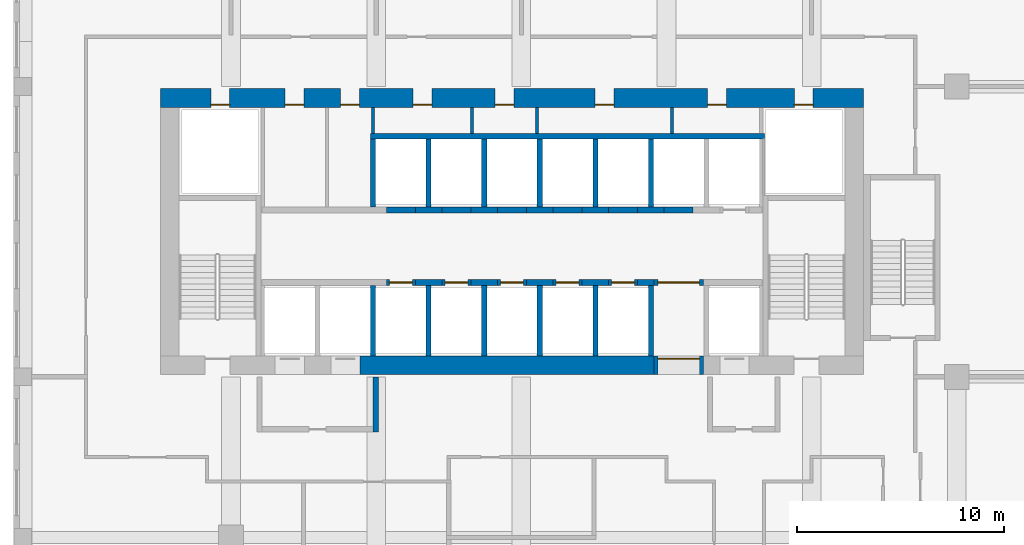
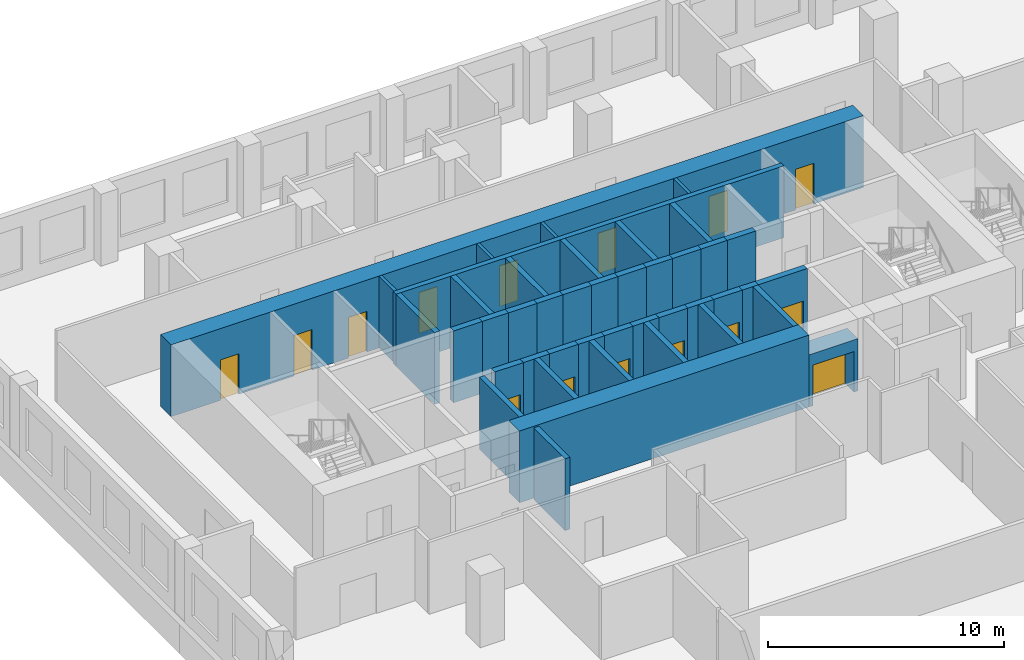
# One storey, part 12 of 17: 43 walls, 15 doors, 15 openings.
"""IFC4 building model written with IfcOpenShell, lengths in metres."""

from ifc_helpers import new_model, si_unit, direction, frame, frame_2d, origin, place, context, subcontext, project, spatial, rectangle, extrude, source, transform, mapped, material, layer, layer_set, type_object, element, fill, save


model = new_model("IFC4")

# Units and contexts
model_context = context("Model", 3, precision=1e-05, world=origin(), true_north=direction((0.0, 1.0)))
body_context = subcontext(model_context, "Body", "Model", "MODEL_VIEW")
ifc_project = project(units=[si_unit("LENGTHUNIT", "METRE"), si_unit("AREAUNIT", "SQUARE_METRE"), si_unit("VOLUMEUNIT", "CUBIC_METRE"), si_unit("PLANEANGLEUNIT", "RADIAN"), si_unit("MASSUNIT", "GRAM", prefix="KILO")], contexts=[model_context])

# Site, building, storey
site_placement = place(None, origin())
site = spatial("IfcSite", under=ifc_project, at=site_placement, CompositionType="ELEMENT")
building_placement = place(site_placement, origin())
building = spatial("IfcBuilding", under=site, at=building_placement, Name="Kilnfold Tower and Market Hall", CompositionType="ELEMENT")
storey_placement = place(building_placement, frame((0.0, 0.0, 100.60009765625)))
storey = spatial("IfcBuildingStorey", under=building, at=storey_placement, Name="L23", CompositionType="ELEMENT", Elevation=100.60009765625)

# Walls
ifc_material_1 = material(Name="Concrete C70", Category="concrete")
ifc_layer_1 = layer(ifc_material_1, 0.300048828125)
ifc_layer_set_1 = layer_set([ifc_layer_1], Name="Concrete C70")
wall_type_1 = type_object("IfcWallType", Name="CORE WALL 300 C70", PredefinedType="SHEAR", material=ifc_layer_set_1)
shared_shape_1 = source(origin(), body_context, "Body", "SweptSolid", [
    extrude(rectangle(XDim=1.280029296875, YDim=0.300048828125, at=frame_2d((0.64013671875, 0.0))), origin(), (0.0, 0.0, 1.0), 3.719970703125),
])
for number, where, z_axis, x_axis, name in (
    (1, (-3.610107421875, 12.550048828125, 0.0), (0.0, 0.0, 1.0), (1.0, 0.0, 0.0), "Core spine wall"),
    (2, (-0.929931640625, 12.550048828125, 0.0), (0.0, 0.0, 1.0), (1.0, 0.0, 0.0), "Core spine wall"),
    (3, (1.75, 12.550048828125, 0.0), (0.0, 0.0, 1.0), (1.0, 0.0, 0.0), "Core spine wall"),
    (4, (4.429931640625, 12.550048828125, 0.0), (0.0, 0.0, 1.0), (1.0, 0.0, 0.0), "Core spine wall"),
    (5, (-3.610107421875, 16.050048828125, 0.0), (0.0, 0.0, 1.0), (1.0, 0.0, 0.0), "Core spine wall"),
    (6, (-0.929931640625, 16.050048828125, 0.0), (0.0, 0.0, 1.0), (1.0, 0.0, 0.0), "Core spine wall"),
    (7, (1.75, 16.050048828125, 0.0), (0.0, 0.0, 1.0), (1.0, 0.0, 0.0), "Core spine wall"),
    (8, (4.429931640625, 16.050048828125, 0.0), (0.0, 0.0, 1.0), (1.0, 0.0, 0.0), "Core spine wall"),
):
    element("IfcWall", number, at=place(storey_placement, frame(where, z_axis=z_axis, x_axis=x_axis)), inside=storey, type_object=wall_type_1, Name=name, PredefinedType="SHEAR", context=body_context, shape_type="MappedRepresentation", body=[
        mapped(shared_shape_1, transform((0.0, 0.0, 0.0))),
    ])
shared_shape_2 = source(origin(), body_context, "Body", "SweptSolid", [
    extrude(rectangle(XDim=0.77978515625, YDim=0.300048828125, at=frame_2d((0.389892578125, 0.0))), origin(), (0.0, 0.0, 1.0), 3.719970703125),
])
wall_1_placement = place(storey_placement, frame((7.110107421875, 12.550048828125, 0.0), z_axis=(0.0, 0.0, 1.0), x_axis=(1.0, 0.0, 0.0)))
element("IfcWall", 9, at=wall_1_placement, inside=storey, type_object=wall_type_1, Name="Core spine wall", PredefinedType="SHEAR", context=body_context, shape_type="MappedRepresentation", body=[
    mapped(shared_shape_2, transform((0.0, 0.0, 0.0))),
])
shared_shape_3 = source(origin(), body_context, "Body", "SweptSolid", [
    extrude(rectangle(XDim=1.27978515625, YDim=0.300048828125, at=frame_2d((0.639892578125, 0.0))), origin(), (0.0, 0.0, 1.0), 3.719970703125),
])
wall_2_placement = place(storey_placement, frame((7.110107421875, 16.050048828125, 0.0), z_axis=(0.0, 0.0, 1.0), x_axis=(1.0, 0.0, 0.0)))
element("IfcWall", 10, at=wall_2_placement, inside=storey, type_object=wall_type_1, Name="Core spine wall", PredefinedType="SHEAR", context=body_context, shape_type="MappedRepresentation", body=[
    mapped(shared_shape_3, transform((0.0, 0.0, 0.0))),
])
ifc_material_2 = material(Name="Concrete C70", Category="concrete")
ifc_layer_2 = layer(ifc_material_2, 0.89990234375)
ifc_layer_set_2 = layer_set([ifc_layer_2], Name="Concrete C70")
wall_type_2 = type_object("IfcWallType", Name="CORE WALL 900 C70", PredefinedType="SHEAR", material=ifc_layer_set_2)
shared_shape_4 = source(origin(), body_context, "Body", "SweptSolid", [
    extrude(rectangle(XDim=14.179931640625, YDim=0.89990234375, at=frame_2d((7.08984375, 0.0))), origin(), (0.0, 0.0, 1.0), 3.719970703125),
])
wall_3_placement = place(storey_placement, frame((-6.2900390625, 8.550048828125, 0.0), z_axis=(0.0, 0.0, 1.0), x_axis=(1.0, 0.0, 0.0)))
element("IfcWall", 11, at=wall_3_placement, inside=storey, type_object=wall_type_2, Name="Core outer wall south", PredefinedType="SHEAR", context=body_context, shape_type="MappedRepresentation", body=[
    mapped(shared_shape_4, transform((0.0, 0.0, 0.0))),
])

# Wall, openings, doors
shared_shape_5 = source(origin(), body_context, "Body", "SweptSolid", [
    extrude(rectangle(XDim=33.89990234375, YDim=0.89990234375, at=frame_2d((16.949951171875, 0.0))), origin(), (0.0, 0.0, 1.0), 3.719970703125),
])
wall_4_placement = place(storey_placement, frame((-15.89990234375, 21.449951171875, 0.0), z_axis=(0.0, 0.0, 1.0), x_axis=(1.0, 0.0, 0.0)))
wall_4 = element("IfcWall", 12, at=wall_4_placement, inside=storey, type_object=wall_type_2, Name="Core outer wall north", PredefinedType="SHEAR", context=body_context, shape_type="MappedRepresentation", body=[
    mapped(shared_shape_5, transform((0.0, 0.0, 0.0))),
])
opening_1_placement = place(wall_4_placement, frame((6.0078125, 0.0, 0.0)))
opening_1 = element("IfcOpeningElement", 13, at=opening_1_placement, cuts=wall_4, Name="Opening KD1", PredefinedType="OPENING", context=body_context, shape_type="SweptSolid", body=[
    extrude(rectangle(XDim=0.89990234375, YDim=2.10009765625, at=frame_2d((0.449951171875, 1.050048828125))), frame((0.0, 0.4599609375, 0.0), z_axis=(0.0, -1.0, 0.0), x_axis=(1.0, 0.0, 0.0)), (0.0, 0.0, 1.0), 0.919921875),
])
opening_2_placement = place(wall_4_placement, frame((8.687744140625, 0.0, 0.0)))
opening_2 = element("IfcOpeningElement", 14, at=opening_2_placement, cuts=wall_4, Name="Opening KD1", PredefinedType="OPENING", context=body_context, shape_type="SweptSolid", body=[
    extrude(rectangle(XDim=0.89990234375, YDim=2.10009765625, at=frame_2d((0.449951171875, 1.050048828125))), frame((0.0, 0.4599609375, 0.0), z_axis=(0.0, -1.0, 0.0), x_axis=(1.0, 0.0, 0.0)), (0.0, 0.0, 1.0), 0.919921875),
])
opening_3_placement = place(wall_4_placement, frame((12.185302734375, 0.0, 0.0)))
opening_3 = element("IfcOpeningElement", 15, at=opening_3_placement, cuts=wall_4, Name="Opening KD1", PredefinedType="OPENING", context=body_context, shape_type="SweptSolid", body=[
    extrude(rectangle(XDim=0.89990234375, YDim=2.10009765625, at=frame_2d((0.449951171875, 1.050048828125))), frame((0.0, 0.4599609375, 0.0), z_axis=(0.0, -1.0, 0.0), x_axis=(1.0, 0.0, 0.0)), (0.0, 0.0, 1.0), 0.919921875),
])
opening_4_placement = place(wall_4_placement, frame((16.13818359375, 0.0, 0.0)))
opening_4 = element("IfcOpeningElement", 16, at=opening_4_placement, cuts=wall_4, Name="Opening KD1", PredefinedType="OPENING", context=body_context, shape_type="SweptSolid", body=[
    extrude(rectangle(XDim=0.89990234375, YDim=2.10009765625, at=frame_2d((0.449951171875, 1.050048828125))), frame((0.0, 0.4599609375, 0.0), z_axis=(0.0, -1.0, 0.0), x_axis=(1.0, 0.0, 0.0)), (0.0, 0.0, 1.0), 0.919921875),
])
opening_5_placement = place(wall_4_placement, frame((20.962158203125, 0.0, 0.0)))
opening_5 = element("IfcOpeningElement", 17, at=opening_5_placement, cuts=wall_4, Name="Opening KD1", PredefinedType="OPENING", context=body_context, shape_type="SweptSolid", body=[
    extrude(rectangle(XDim=0.89990234375, YDim=2.10009765625, at=frame_2d((0.449951171875, 1.050048828125))), frame((0.0, 0.4599609375, 0.0), z_axis=(0.0, -1.0, 0.0), x_axis=(1.0, 0.0, 0.0)), (0.0, 0.0, 1.0), 0.919921875),
])
opening_6_placement = place(wall_4_placement, frame((26.38916015625, 0.0, 0.0)))
opening_6 = element("IfcOpeningElement", 18, at=opening_6_placement, cuts=wall_4, Name="Opening KD1", PredefinedType="OPENING", context=body_context, shape_type="SweptSolid", body=[
    extrude(rectangle(XDim=0.89990234375, YDim=2.10009765625, at=frame_2d((0.449951171875, 1.050048828125))), frame((0.0, 0.4599609375, 0.0), z_axis=(0.0, -1.0, 0.0), x_axis=(1.0, 0.0, 0.0)), (0.0, 0.0, 1.0), 0.919921875),
])
opening_7_placement = place(wall_4_placement, frame((2.425048828125, 0.0, 0.0)))
opening_7 = element("IfcOpeningElement", 19, at=opening_7_placement, cuts=wall_4, Name="Opening KD1", PredefinedType="OPENING", context=body_context, shape_type="SweptSolid", body=[
    extrude(rectangle(XDim=0.89990234375, YDim=2.10009765625, at=frame_2d((0.449951171875, 1.050048828125))), frame((0.0, 0.4599609375, 0.0), z_axis=(0.0, -1.0, 0.0), x_axis=(1.0, 0.0, 0.0)), (0.0, 0.0, 1.0), 0.919921875),
])
opening_8_placement = place(wall_4_placement, frame((30.574951171875, 0.0, 0.0)))
opening_8 = element("IfcOpeningElement", 20, at=opening_8_placement, cuts=wall_4, Name="Opening KD1", PredefinedType="OPENING", context=body_context, shape_type="SweptSolid", body=[
    extrude(rectangle(XDim=0.89990234375, YDim=2.10009765625, at=frame_2d((0.449951171875, 1.050048828125))), frame((0.0, 0.4599609375, 0.0), z_axis=(0.0, -1.0, 0.0), x_axis=(1.0, 0.0, 0.0)), (0.0, 0.0, 1.0), 0.919921875),
])
ifc_material_3 = material(Name="Steel door set with fire-resisting leaf", Category="steel")
door_type_1 = type_object("IfcDoorType", Name="SERVICE DOOR 900X2100", OperationType="NOTDEFINED", PredefinedType="DOOR", material=ifc_material_3)
door_1_placement = place(opening_1_placement, origin())
door_1 = element("IfcDoor", 21, at=door_1_placement, inside=storey, type_object=door_type_1, Name="Core service door", OperationType="SINGLE_SWING_RIGHT", OverallHeight=2.10009765625, OverallWidth=0.89990234375, PredefinedType="DOOR", context=body_context, shape_type="SweptSolid", body=[
    extrude(rectangle(XDim=0.89990234375, YDim=2.10009765625, at=frame_2d((0.449951171875, 1.050048828125))), frame((0.0, -0.30517578125, 0.0), z_axis=(0.0, -1.0, 0.0), x_axis=(1.0, 0.0, 0.0)), (0.0, 0.0, 1.0), 0.050048828125),
])
fill(opening_1, door_1)
door_2_placement = place(opening_2_placement, origin())
door_2 = element("IfcDoor", 22, at=door_2_placement, inside=storey, type_object=door_type_1, Name="Core service door", OperationType="SINGLE_SWING_LEFT", OverallHeight=2.10009765625, OverallWidth=0.89990234375, PredefinedType="DOOR", context=body_context, shape_type="SweptSolid", body=[
    extrude(rectangle(XDim=0.89990234375, YDim=2.10009765625, at=frame_2d((0.449951171875, 1.050048828125))), frame((0.0, -0.30517578125, 0.0), z_axis=(0.0, -1.0, 0.0), x_axis=(1.0, 0.0, 0.0)), (0.0, 0.0, 1.0), 0.050048828125),
])
fill(opening_2, door_2)
door_3_placement = place(opening_3_placement, origin())
door_3 = element("IfcDoor", 23, at=door_3_placement, inside=storey, type_object=door_type_1, Name="Core service door", OperationType="SINGLE_SWING_RIGHT", OverallHeight=2.10009765625, OverallWidth=0.89990234375, PredefinedType="DOOR", context=body_context, shape_type="SweptSolid", body=[
    extrude(rectangle(XDim=0.89990234375, YDim=2.10009765625, at=frame_2d((0.449951171875, 1.050048828125))), frame((0.0, -0.30517578125, 0.0), z_axis=(0.0, -1.0, 0.0), x_axis=(1.0, 0.0, 0.0)), (0.0, 0.0, 1.0), 0.050048828125),
])
fill(opening_3, door_3)
door_4_placement = place(opening_4_placement, origin())
door_4 = element("IfcDoor", 24, at=door_4_placement, inside=storey, type_object=door_type_1, Name="Core service door", OperationType="SINGLE_SWING_LEFT", OverallHeight=2.10009765625, OverallWidth=0.89990234375, PredefinedType="DOOR", context=body_context, shape_type="SweptSolid", body=[
    extrude(rectangle(XDim=0.89990234375, YDim=2.10009765625, at=frame_2d((0.449951171875, 1.050048828125))), frame((0.0, -0.30517578125, 0.0), z_axis=(0.0, -1.0, 0.0), x_axis=(1.0, 0.0, 0.0)), (0.0, 0.0, 1.0), 0.050048828125),
])
fill(opening_4, door_4)
door_5_placement = place(opening_5_placement, origin())
door_5 = element("IfcDoor", 25, at=door_5_placement, inside=storey, type_object=door_type_1, Name="Core service door", OperationType="SINGLE_SWING_RIGHT", OverallHeight=2.10009765625, OverallWidth=0.89990234375, PredefinedType="DOOR", context=body_context, shape_type="SweptSolid", body=[
    extrude(rectangle(XDim=0.89990234375, YDim=2.10009765625, at=frame_2d((0.449951171875, 1.050048828125))), frame((0.0, -0.30517578125, 0.0), z_axis=(0.0, -1.0, 0.0), x_axis=(1.0, 0.0, 0.0)), (0.0, 0.0, 1.0), 0.050048828125),
])
fill(opening_5, door_5)
door_6_placement = place(opening_6_placement, origin())
door_6 = element("IfcDoor", 26, at=door_6_placement, inside=storey, type_object=door_type_1, Name="Core service door", OperationType="SINGLE_SWING_LEFT", OverallHeight=2.10009765625, OverallWidth=0.89990234375, PredefinedType="DOOR", context=body_context, shape_type="SweptSolid", body=[
    extrude(rectangle(XDim=0.89990234375, YDim=2.10009765625, at=frame_2d((0.449951171875, 1.050048828125))), frame((0.0, -0.30517578125, 0.0), z_axis=(0.0, -1.0, 0.0), x_axis=(1.0, 0.0, 0.0)), (0.0, 0.0, 1.0), 0.050048828125),
])
fill(opening_6, door_6)
door_7_placement = place(opening_7_placement, origin())
door_7 = element("IfcDoor", 27, at=door_7_placement, inside=storey, type_object=door_type_1, Name="Electrical riser access door", OperationType="SINGLE_SWING_RIGHT", OverallHeight=2.10009765625, OverallWidth=0.89990234375, PredefinedType="DOOR", context=body_context, shape_type="SweptSolid", body=[
    extrude(rectangle(XDim=0.89990234375, YDim=2.10009765625, at=frame_2d((0.449951171875, 1.050048828125))), frame((0.0, -0.30517578125, 0.0), z_axis=(0.0, -1.0, 0.0), x_axis=(1.0, 0.0, 0.0)), (0.0, 0.0, 1.0), 0.050048828125),
])
fill(opening_7, door_7)
door_8_placement = place(opening_8_placement, origin())
door_8 = element("IfcDoor", 28, at=door_8_placement, inside=storey, type_object=door_type_1, Name="Mechanical riser access door", OperationType="SINGLE_SWING_LEFT", OverallHeight=2.10009765625, OverallWidth=0.89990234375, PredefinedType="DOOR", context=body_context, shape_type="SweptSolid", body=[
    extrude(rectangle(XDim=0.89990234375, YDim=2.10009765625, at=frame_2d((0.449951171875, 1.050048828125))), frame((0.0, -0.30517578125, 0.0), z_axis=(0.0, -1.0, 0.0), x_axis=(1.0, 0.0, 0.0)), (0.0, 0.0, 1.0), 0.050048828125),
])
fill(opening_8, door_8)

# Wall, opening, door
ifc_material_4 = material(Name="Gypsum shaft wall system")
ifc_layer_3 = layer(ifc_material_4, 0.300048828125)
ifc_layer_set_3 = layer_set([ifc_layer_3], Name="Gypsum shaft wall system")
wall_type_3 = type_object("IfcWallType", Name="SHAFT WALL 300", PredefinedType="PARTITIONING", material=ifc_layer_set_3)
shared_shape_6 = source(origin(), body_context, "Body", "SweptSolid", [
    extrude(rectangle(XDim=1.39990234375, YDim=0.300048828125, at=frame_2d((0.699951171875, 0.0))), origin(), (0.0, 0.0, 1.0), 3.719970703125),
])
wall_5_placement = place(storey_placement, frame((-5.010009765625, 12.550048828125, 0.0), z_axis=(0.0, 0.0, 1.0), x_axis=(1.0, 0.0, 0.0)))
wall_5 = element("IfcWall", 29, at=wall_5_placement, inside=storey, type_object=wall_type_3, Name="Lift shaft front wall", PredefinedType="PARTITIONING", context=body_context, shape_type="MappedRepresentation", body=[
    mapped(shared_shape_6, transform((0.0, 0.0, 0.0))),
])
opening_9_placement = place(wall_5_placement, frame((0.14990234375, 0.0, 0.0)))
opening_9 = element("IfcOpeningElement", 30, at=opening_9_placement, cuts=wall_5, Name="Opening LD2", PredefinedType="OPENING", context=body_context, shape_type="SweptSolid", body=[
    extrude(rectangle(XDim=1.10009765625, YDim=2.10009765625, at=frame_2d((0.550048828125, 1.050048828125))), frame((0.0, 0.16015625, 0.0), z_axis=(0.0, -1.0, 0.0), x_axis=(1.0, 0.0, 0.0)), (0.0, 0.0, 1.0), 0.320068359375),
])
ifc_material_5 = material(Name="Steel door set with fire-resisting leaf", Category="steel")
door_type_2 = type_object("IfcDoorType", Name="LANDING DOOR 1100X2100", OperationType="NOTDEFINED", PredefinedType="DOOR", material=ifc_material_5)
door_9_placement = place(opening_9_placement, origin())
door_9 = element("IfcDoor", 31, at=door_9_placement, inside=storey, type_object=door_type_2, Name="Landing door LR1", OperationType="DOUBLE_DOOR_SLIDING", OverallHeight=2.10009765625, OverallWidth=1.10009765625, PredefinedType="DOOR", context=body_context, shape_type="SweptSolid", body=[
    extrude(rectangle(XDim=1.10009765625, YDim=2.10009765625, at=frame_2d((0.550048828125, 1.050048828125))), frame((0.0, 0.02490234375, 0.0), z_axis=(0.0, -1.0, 0.0), x_axis=(1.0, 0.0, 0.0)), (0.0, 0.0, 1.0), 0.050048828125),
])
fill(opening_9, door_9)

wall_6_placement = place(storey_placement, frame((0.35009765625, 12.550048828125, 0.0), z_axis=(0.0, 0.0, 1.0), x_axis=(1.0, 0.0, 0.0)))
wall_6 = element("IfcWall", 32, at=wall_6_placement, inside=storey, type_object=wall_type_3, Name="Lift shaft front wall", PredefinedType="PARTITIONING", context=body_context, shape_type="MappedRepresentation", body=[
    mapped(shared_shape_6, transform((0.0, 0.0, 0.0))),
])
opening_10_placement = place(wall_6_placement, frame((0.14990234375, 0.0, 0.0)))
opening_10 = element("IfcOpeningElement", 33, at=opening_10_placement, cuts=wall_6, Name="Opening LD2", PredefinedType="OPENING", context=body_context, shape_type="SweptSolid", body=[
    extrude(rectangle(XDim=1.10009765625, YDim=2.10009765625, at=frame_2d((0.550048828125, 1.050048828125))), frame((0.0, 0.16015625, 0.0), z_axis=(0.0, -1.0, 0.0), x_axis=(1.0, 0.0, 0.0)), (0.0, 0.0, 1.0), 0.320068359375),
])
door_10_placement = place(opening_10_placement, origin())
door_10 = element("IfcDoor", 34, at=door_10_placement, inside=storey, type_object=door_type_2, Name="Landing door LR3", OperationType="DOUBLE_DOOR_SLIDING", OverallHeight=2.10009765625, OverallWidth=1.10009765625, PredefinedType="DOOR", context=body_context, shape_type="SweptSolid", body=[
    extrude(rectangle(XDim=1.10009765625, YDim=2.10009765625, at=frame_2d((0.550048828125, 1.050048828125))), frame((0.0, 0.02490234375, 0.0), z_axis=(0.0, -1.0, 0.0), x_axis=(1.0, 0.0, 0.0)), (0.0, 0.0, 1.0), 0.050048828125),
])
fill(opening_10, door_10)

wall_7_placement = place(storey_placement, frame((3.030029296875, 12.550048828125, 0.0), z_axis=(0.0, 0.0, 1.0), x_axis=(1.0, 0.0, 0.0)))
wall_7 = element("IfcWall", 35, at=wall_7_placement, inside=storey, type_object=wall_type_3, Name="Lift shaft front wall", PredefinedType="PARTITIONING", context=body_context, shape_type="MappedRepresentation", body=[
    mapped(shared_shape_6, transform((0.0, 0.0, 0.0))),
])
opening_11_placement = place(wall_7_placement, frame((0.14990234375, 0.0, 0.0)))
opening_11 = element("IfcOpeningElement", 36, at=opening_11_placement, cuts=wall_7, Name="Opening LD2", PredefinedType="OPENING", context=body_context, shape_type="SweptSolid", body=[
    extrude(rectangle(XDim=1.10009765625, YDim=2.10009765625, at=frame_2d((0.550048828125, 1.050048828125))), frame((0.0, 0.16015625, 0.0), z_axis=(0.0, -1.0, 0.0), x_axis=(1.0, 0.0, 0.0)), (0.0, 0.0, 1.0), 0.320068359375),
])
door_11_placement = place(opening_11_placement, origin())
door_11 = element("IfcDoor", 37, at=door_11_placement, inside=storey, type_object=door_type_2, Name="Landing door LR4", OperationType="DOUBLE_DOOR_SLIDING", OverallHeight=2.10009765625, OverallWidth=1.10009765625, PredefinedType="DOOR", context=body_context, shape_type="SweptSolid", body=[
    extrude(rectangle(XDim=1.10009765625, YDim=2.10009765625, at=frame_2d((0.550048828125, 1.050048828125))), frame((0.0, 0.02490234375, 0.0), z_axis=(0.0, -1.0, 0.0), x_axis=(1.0, 0.0, 0.0)), (0.0, 0.0, 1.0), 0.050048828125),
])
fill(opening_11, door_11)

# Walls
for number, where, z_axis, x_axis, name in (
    (38, (-5.010009765625, 16.050048828125, 0.0), (0.0, 0.0, 1.0), (1.0, 0.0, 0.0), "Lift shaft front wall"),
    (39, (0.35009765625, 16.050048828125, 0.0), (0.0, 0.0, 1.0), (1.0, 0.0, 0.0), "Lift shaft front wall"),
    (40, (3.030029296875, 16.050048828125, 0.0), (0.0, 0.0, 1.0), (1.0, 0.0, 0.0), "Lift shaft front wall"),
):
    element("IfcWall", number, at=place(storey_placement, frame(where, z_axis=z_axis, x_axis=x_axis)), inside=storey, type_object=wall_type_3, Name=name, PredefinedType="PARTITIONING", context=body_context, shape_type="MappedRepresentation", body=[
        mapped(shared_shape_6, transform((0.0, 0.0, 0.0))),
    ])

# Wall, opening, door
shared_shape_7 = source(origin(), body_context, "Body", "SweptSolid", [
    extrude(rectangle(XDim=1.400146484375, YDim=0.300048828125, at=frame_2d((0.7001953125, 0.0))), origin(), (0.0, 0.0, 1.0), 3.719970703125),
])
wall_8_placement = place(storey_placement, frame((-2.330078125, 12.550048828125, 0.0), z_axis=(0.0, 0.0, 1.0), x_axis=(1.0, 0.0, 0.0)))
wall_8 = element("IfcWall", 41, at=wall_8_placement, inside=storey, type_object=wall_type_3, Name="Lift shaft front wall", PredefinedType="PARTITIONING", context=body_context, shape_type="MappedRepresentation", body=[
    mapped(shared_shape_7, transform((0.0, 0.0, 0.0))),
])
opening_12_placement = place(wall_8_placement, frame((0.14990234375, 0.0, 0.0)))
opening_12 = element("IfcOpeningElement", 42, at=opening_12_placement, cuts=wall_8, Name="Opening LD2", PredefinedType="OPENING", context=body_context, shape_type="SweptSolid", body=[
    extrude(rectangle(XDim=1.10009765625, YDim=2.10009765625, at=frame_2d((0.550048828125, 1.050048828125))), frame((0.0, 0.16015625, 0.0), z_axis=(0.0, -1.0, 0.0), x_axis=(1.0, 0.0, 0.0)), (0.0, 0.0, 1.0), 0.320068359375),
])
door_12_placement = place(opening_12_placement, origin())
door_12 = element("IfcDoor", 43, at=door_12_placement, inside=storey, type_object=door_type_2, Name="Landing door LR2", OperationType="DOUBLE_DOOR_SLIDING", OverallHeight=2.10009765625, OverallWidth=1.10009765625, PredefinedType="DOOR", context=body_context, shape_type="SweptSolid", body=[
    extrude(rectangle(XDim=1.10009765625, YDim=2.10009765625, at=frame_2d((0.550048828125, 1.050048828125))), frame((0.0, 0.02490234375, 0.0), z_axis=(0.0, -1.0, 0.0), x_axis=(1.0, 0.0, 0.0)), (0.0, 0.0, 1.0), 0.050048828125),
])
fill(opening_12, door_12)

wall_9_placement = place(storey_placement, frame((5.7099609375, 12.550048828125, 0.0), z_axis=(0.0, 0.0, 1.0), x_axis=(1.0, 0.0, 0.0)))
wall_9 = element("IfcWall", 44, at=wall_9_placement, inside=storey, type_object=wall_type_3, Name="Lift shaft front wall", PredefinedType="PARTITIONING", context=body_context, shape_type="MappedRepresentation", body=[
    mapped(shared_shape_7, transform((0.0, 0.0, 0.0))),
])
opening_13_placement = place(wall_9_placement, frame((0.14990234375, 0.0, 0.0)))
opening_13 = element("IfcOpeningElement", 45, at=opening_13_placement, cuts=wall_9, Name="Opening LD2", PredefinedType="OPENING", context=body_context, shape_type="SweptSolid", body=[
    extrude(rectangle(XDim=1.10009765625, YDim=2.10009765625, at=frame_2d((0.550048828125, 1.050048828125))), frame((0.0, 0.16015625, 0.0), z_axis=(0.0, -1.0, 0.0), x_axis=(1.0, 0.0, 0.0)), (0.0, 0.0, 1.0), 0.320068359375),
])
door_13_placement = place(opening_13_placement, origin())
door_13 = element("IfcDoor", 46, at=door_13_placement, inside=storey, type_object=door_type_2, Name="Landing door LR5", OperationType="DOUBLE_DOOR_SLIDING", OverallHeight=2.10009765625, OverallWidth=1.10009765625, PredefinedType="DOOR", context=body_context, shape_type="SweptSolid", body=[
    extrude(rectangle(XDim=1.10009765625, YDim=2.10009765625, at=frame_2d((0.550048828125, 1.050048828125))), frame((0.0, 0.02490234375, 0.0), z_axis=(0.0, -1.0, 0.0), x_axis=(1.0, 0.0, 0.0)), (0.0, 0.0, 1.0), 0.050048828125),
])
fill(opening_13, door_13)

# Walls
for number, where, z_axis, x_axis, name in (
    (47, (-2.330078125, 16.050048828125, 0.0), (0.0, 0.0, 1.0), (1.0, 0.0, 0.0), "Lift shaft front wall"),
    (48, (5.7099609375, 16.050048828125, 0.0), (0.0, 0.0, 1.0), (1.0, 0.0, 0.0), "Lift shaft front wall"),
    (49, (8.389892578125, 16.050048828125, 0.0), (0.0, 0.0, 1.0), (1.0, 0.0, 0.0), "Lift shaft front wall"),
):
    element("IfcWall", number, at=place(storey_placement, frame(where, z_axis=z_axis, x_axis=x_axis)), inside=storey, type_object=wall_type_3, Name=name, PredefinedType="PARTITIONING", context=body_context, shape_type="MappedRepresentation", body=[
        mapped(shared_shape_7, transform((0.0, 0.0, 0.0))),
    ])

# Wall, opening, door
shared_shape_8 = source(origin(), body_context, "Body", "SweptSolid", [
    extrude(rectangle(XDim=2.400146484375, YDim=0.300048828125, at=frame_2d((1.2001953125, 0.0))), origin(), (0.0, 0.0, 1.0), 3.719970703125),
])
wall_10_placement = place(storey_placement, frame((7.889892578125, 12.550048828125, 0.0), z_axis=(0.0, 0.0, 1.0), x_axis=(1.0, 0.0, 0.0)))
wall_10 = element("IfcWall", 50, at=wall_10_placement, inside=storey, type_object=wall_type_3, Name="Lift shaft front wall", PredefinedType="PARTITIONING", context=body_context, shape_type="MappedRepresentation", body=[
    mapped(shared_shape_8, transform((0.0, 0.0, 0.0))),
])
opening_14_placement = place(wall_10_placement, frame((0.199951171875, 0.0, 0.0)))
opening_14 = element("IfcOpeningElement", 51, at=opening_14_placement, cuts=wall_10, Name="Opening VD2", PredefinedType="OPENING", context=body_context, shape_type="SweptSolid", body=[
    extrude(rectangle(XDim=2.0, YDim=2.10009765625, at=frame_2d((1.0, 1.050048828125))), frame((0.0, 0.16015625, 0.0), z_axis=(0.0, -1.0, 0.0), x_axis=(1.0, 0.0, 0.0)), (0.0, 0.0, 1.0), 0.320068359375),
])
ifc_material_6 = material(Name="Steel door set with fire-resisting leaf", Category="steel")
door_type_3 = type_object("IfcDoorType", Name="LIFT LOBBY ENTRANCE DOOR 2000X2100", OperationType="NOTDEFINED", PredefinedType="DOOR", material=ifc_material_6)
door_14_placement = place(opening_14_placement, origin())
door_14 = element("IfcDoor", 52, at=door_14_placement, inside=storey, type_object=door_type_3, Name="Lift lobby entrance door", OperationType="DOUBLE_DOOR_SINGLE_SWING", OverallHeight=2.10009765625, OverallWidth=2.0, PredefinedType="DOOR", context=body_context, shape_type="SweptSolid", body=[
    extrude(rectangle(XDim=2.0, YDim=2.10009765625, at=frame_2d((1.0, 1.050048828125))), frame((0.0, 0.02490234375, 0.0), z_axis=(0.0, -1.0, 0.0), x_axis=(1.0, 0.0, 0.0)), (0.0, 0.0, 1.0), 0.050048828125),
])
fill(opening_14, door_14)

# Walls
ifc_material_7 = material(Name="Gypsum shaft wall system")
ifc_layer_4 = layer(ifc_material_7, 0.25)
ifc_layer_set_4 = layer_set([ifc_layer_4], Name="Gypsum shaft wall system")
wall_type_4 = type_object("IfcWallType", Name="LOBBY WALL 250", PredefinedType="PARTITIONING", material=ifc_layer_set_4)
shared_shape_9 = source(origin(), body_context, "Body", "SweptSolid", [
    extrude(rectangle(XDim=2.64990234375, YDim=0.25, at=frame_2d((1.324951171875, 0.0))), origin(), (0.0, 0.0, 1.0), 3.719970703125),
])
wall_11_placement = place(storey_placement, frame((-5.52490234375, 5.35009765625, 0.0), z_axis=(0.0, 0.0, 1.0), x_axis=(0.0, 1.0, 0.0)))
element("IfcWall", 53, at=wall_11_placement, inside=storey, type_object=wall_type_4, Name="Firefighting lobby wall", PredefinedType="PARTITIONING", context=body_context, shape_type="MappedRepresentation", body=[
    mapped(shared_shape_9, transform((0.0, 0.0, 0.0))),
])
ifc_material_8 = material(Name="Gypsum shaft wall system")
ifc_layer_5 = layer(ifc_material_8, 0.25)
ifc_layer_set_5 = layer_set([ifc_layer_5], Name="Gypsum shaft wall system")
wall_type_5 = type_object("IfcWallType", Name="SHAFT WALL 250", PredefinedType="PARTITIONING", material=ifc_layer_set_5)
shared_shape_10 = source(origin(), body_context, "Body", "SweptSolid", [
    extrude(rectangle(XDim=3.275146484375, YDim=0.25, at=frame_2d((1.6376953125, 0.0))), origin(), (0.0, 0.0, 1.0), 3.719970703125),
])
for number, where, z_axis, x_axis, name in (
    (54, (2.389892578125, 16.199951171875, 0.0), (0.0, 0.0, 1.0), (0.0, 1.0, 0.0), "Lift shaft wall"),
    (55, (5.070068359375, 16.199951171875, 0.0), (0.0, 0.0, 1.0), (0.0, 1.0, 0.0), "Lift shaft wall"),
    (56, (7.75, 16.199951171875, 0.0), (0.0, 0.0, 1.0), (0.0, 1.0, 0.0), "Lift shaft wall"),
    (57, (-0.2900390625, 16.199951171875, 0.0), (0.0, 0.0, 1.0), (0.0, 1.0, 0.0), "Lift shaft wall"),
    (58, (-2.969970703125, 16.199951171875, 0.0), (0.0, 0.0, 1.0), (0.0, 1.0, 0.0), "Lift shaft wall"),
    (59, (-5.64990234375, 16.199951171875, 0.0), (0.0, 0.0, 1.0), (0.0, 1.0, 0.0), "Lift shaft wall"),
):
    element("IfcWall", number, at=place(storey_placement, frame(where, z_axis=z_axis, x_axis=x_axis)), inside=storey, type_object=wall_type_5, Name=name, PredefinedType="PARTITIONING", context=body_context, shape_type="MappedRepresentation", body=[
        mapped(shared_shape_10, transform((0.0, 0.0, 0.0))),
    ])
shared_shape_11 = source(origin(), body_context, "Body", "SweptSolid", [
    extrude(rectangle(XDim=3.39990234375, YDim=0.25, at=frame_2d((1.699951171875, 0.0))), origin(), (0.0, 0.0, 1.0), 3.719970703125),
])
for number, where, z_axis, x_axis, name in (
    (60, (2.389892578125, 9.0, 0.0), (0.0, 0.0, 1.0), (0.0, 1.0, 0.0), "Lift shaft wall"),
    (61, (5.070068359375, 9.0, 0.0), (0.0, 0.0, 1.0), (0.0, 1.0, 0.0), "Lift shaft wall"),
    (62, (7.75, 9.0, 0.0), (0.0, 0.0, 1.0), (0.0, 1.0, 0.0), "Lift shaft wall"),
    (63, (-0.2900390625, 9.0, 0.0), (0.0, 0.0, 1.0), (0.0, 1.0, 0.0), "Lift shaft wall"),
    (64, (-2.969970703125, 9.0, 0.0), (0.0, 0.0, 1.0), (0.0, 1.0, 0.0), "Lift shaft wall"),
    (65, (-5.64990234375, 9.0, 0.0), (0.0, 0.0, 1.0), (0.0, 1.0, 0.0), "Lift shaft wall"),
):
    element("IfcWall", number, at=place(storey_placement, frame(where, z_axis=z_axis, x_axis=x_axis)), inside=storey, type_object=wall_type_5, Name=name, PredefinedType="PARTITIONING", context=body_context, shape_type="MappedRepresentation", body=[
        mapped(shared_shape_11, transform((0.0, 0.0, 0.0))),
    ])
ifc_material_9 = material(Name="Gypsum shaft wall system")
ifc_layer_6 = layer(ifc_material_9, 0.14990234375)
ifc_layer_set_6 = layer_set([ifc_layer_6], Name="Gypsum shaft wall system")
wall_type_6 = type_object("IfcWallType", Name="ROOM WALL 150", PredefinedType="PARTITIONING", material=ifc_layer_set_6)
shared_shape_12 = source(origin(), body_context, "Body", "SweptSolid", [
    extrude(rectangle(XDim=1.27490234375, YDim=0.14990234375, at=frame_2d((0.637451171875, 0.0))), origin(), (0.0, 0.0, 1.0), 3.719970703125),
])
for number, where, z_axis, x_axis, name in (
    (66, (-5.64990234375, 19.72509765625, 0.0), (0.0, 0.0, 1.0), (0.0, 1.0, 0.0), "Core room wall"),
    (67, (-0.879638671875, 19.72509765625, 0.0), (0.0, 0.0, 1.0), (0.0, 1.0, 0.0), "Core room wall"),
    (68, (2.256103515625, 19.72509765625, 0.0), (0.0, 0.0, 1.0), (0.0, 1.0, 0.0), "Core room wall"),
    (69, (8.768310546875, 19.72509765625, 0.0), (0.0, 0.0, 1.0), (0.0, 1.0, 0.0), "Core room wall"),
):
    element("IfcWall", number, at=place(storey_placement, frame(where, z_axis=z_axis, x_axis=x_axis)), inside=storey, type_object=wall_type_6, Name=name, PredefinedType="PARTITIONING", context=body_context, shape_type="MappedRepresentation", body=[
        mapped(shared_shape_12, transform((0.0, 0.0, 0.0))),
    ])
shared_shape_13 = source(origin(), body_context, "Body", "SweptSolid", [
    extrude(rectangle(XDim=19.010009765625, YDim=0.25, at=frame_2d((9.5048828125, 0.0))), origin(), (0.0, 0.0, 1.0), 3.719970703125),
])
wall_12_placement = place(storey_placement, frame((-5.77490234375, 19.60009765625, 0.0), z_axis=(0.0, 0.0, 1.0), x_axis=(1.0, 0.0, 0.0)))
element("IfcWall", 70, at=wall_12_placement, inside=storey, type_object=wall_type_5, Name="Lift shaft wall", PredefinedType="PARTITIONING", context=body_context, shape_type="MappedRepresentation", body=[
    mapped(shared_shape_13, transform((0.0, 0.0, 0.0))),
])

# Wall, opening, door
ifc_material_10 = material(Name="Gypsum shaft wall system")
ifc_layer_7 = layer(ifc_material_10, 0.89990234375)
ifc_layer_set_7 = layer_set([ifc_layer_7], Name="Gypsum shaft wall system")
wall_type_7 = type_object("IfcWallType", Name="LOBBY WALL 900", PredefinedType="PARTITIONING", material=ifc_layer_set_7)
shared_shape_14 = source(origin(), body_context, "Body", "SweptSolid", [
    extrude(rectangle(XDim=2.400146484375, YDim=0.89990234375, at=frame_2d((1.2001953125, 0.0))), origin(), (0.0, 0.0, 1.0), 2.699951171875),
])
wall_13_placement = place(storey_placement, frame((7.889892578125, 8.550048828125, 0.0), z_axis=(0.0, 0.0, 1.0), x_axis=(1.0, 0.0, 0.0)))
wall_13 = element("IfcWall", 71, at=wall_13_placement, inside=storey, type_object=wall_type_7, Name="Core wall infill", PredefinedType="PARTITIONING", context=body_context, shape_type="MappedRepresentation", body=[
    mapped(shared_shape_14, transform((0.0, 0.0, 0.0))),
])
opening_15_placement = place(wall_13_placement, frame((0.199951171875, 0.0, 0.0)))
opening_15 = element("IfcOpeningElement", 72, at=opening_15_placement, cuts=wall_13, Name="Opening VD2", PredefinedType="OPENING", context=body_context, shape_type="SweptSolid", body=[
    extrude(rectangle(XDim=2.0, YDim=2.10009765625, at=frame_2d((1.0, 1.050048828125))), frame((0.0, 0.4599609375, 0.0), z_axis=(0.0, -1.0, 0.0), x_axis=(1.0, 0.0, 0.0)), (0.0, 0.0, 1.0), 0.919921875),
])
door_15_placement = place(opening_15_placement, origin())
door_15 = element("IfcDoor", 73, at=door_15_placement, inside=storey, type_object=door_type_3, Name="Lift lobby entrance door", OperationType="DOUBLE_DOOR_SINGLE_SWING", OverallHeight=2.10009765625, OverallWidth=2.0, PredefinedType="DOOR", context=body_context, shape_type="SweptSolid", body=[
    extrude(rectangle(XDim=2.0, YDim=2.10009765625, at=frame_2d((1.0, 1.050048828125))), frame((0.0, 0.35498046875, 0.0), z_axis=(0.0, -1.0, 0.0), x_axis=(1.0, 0.0, 0.0)), (0.0, 0.0, 1.0), 0.050048828125),
])
fill(opening_15, door_15)

save(model, "model.ifc")
